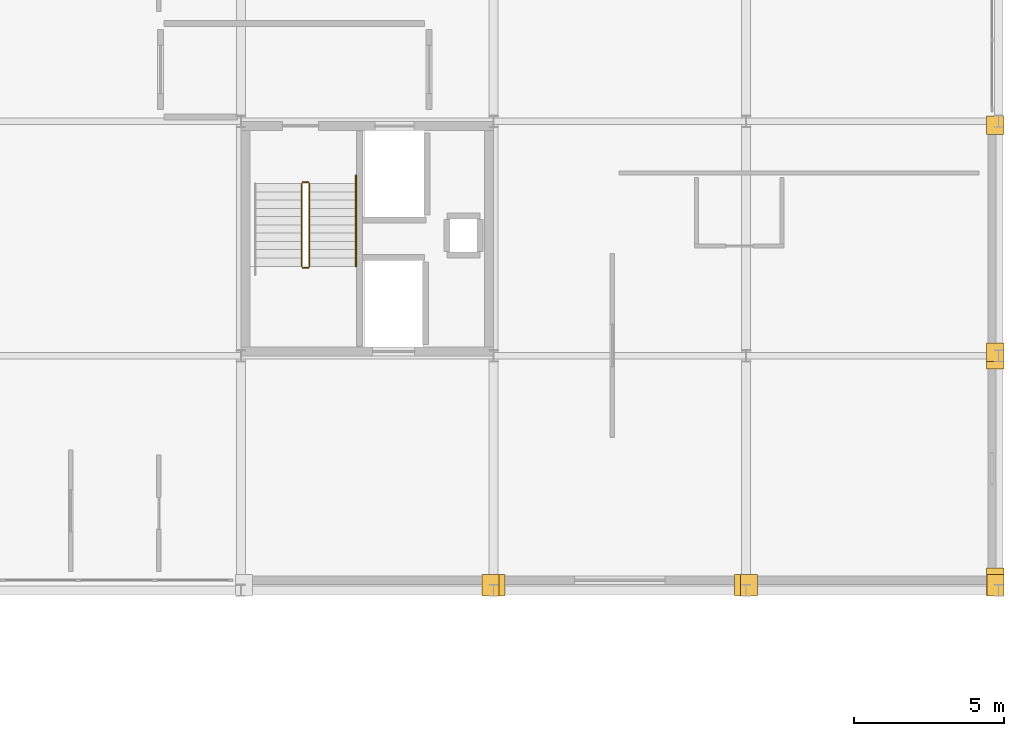
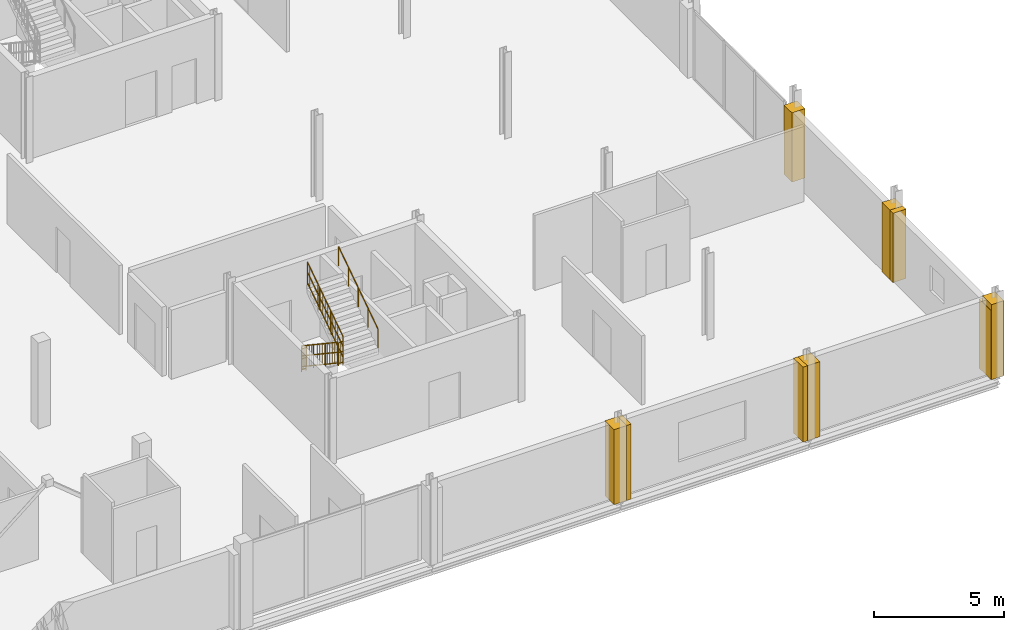
# One storey, part 16 of 20: 9 coverings, 5 railings.
"""IFC4 building model written with IfcOpenShell, lengths in metres."""

from ifc_helpers import new_model, si_unit, direction, frame, origin, origin_2d, place, context, subcontext, project, spatial, polyline, circle, outline, extrude, material, layer, layer_set, type_object, element, save


model = new_model("IFC4")

# Units and contexts
model_context = context("Model", 3, precision=1e-05, world=origin(), true_north=direction((0.0, 1.0)))
body_context = subcontext(model_context, "Body", "Model", "MODEL_VIEW")
ifc_project = project(units=[si_unit("LENGTHUNIT", "METRE"), si_unit("AREAUNIT", "SQUARE_METRE"), si_unit("VOLUMEUNIT", "CUBIC_METRE"), si_unit("PLANEANGLEUNIT", "RADIAN"), si_unit("MASSUNIT", "GRAM", prefix="KILO")], contexts=[model_context])

# Site, building, storey
site_placement = place(None, origin())
site = spatial("IfcSite", under=ifc_project, at=site_placement, CompositionType="ELEMENT")
building_placement = place(site_placement, origin())
building = spatial("IfcBuilding", under=site, at=building_placement, Name="Nabrawat Pavilion Hospital", CompositionType="ELEMENT")
storey_placement = place(building_placement, frame((0.0, 0.0, 27.0)))
storey = spatial("IfcBuildingStorey", under=building, at=storey_placement, Name="L06", CompositionType="ELEMENT", Elevation=27.0)

# Coverings
ifc_material_1 = material(Name="Precast concrete C40/50", Category="concrete")
ifc_layer_1 = layer(ifc_material_1, 0.360107421875, Name="Precast concrete C40/50")
ifc_layer_set_1 = layer_set([ifc_layer_1], Name="Precast concrete C40/50")
covering_type = type_object("IfcCoveringType", Name="Architectural Precast Column-Jamb Closure Reveal", PredefinedType="CLADDING", material=ifc_layer_set_1)
covering_1_placement = place(storey_placement, origin())
element("IfcCovering", 1, at=covering_1_placement, inside=storey, type_object=covering_type, Name="L06 Precast Facade Column-Jamb Weatherseal Closure 0617", PredefinedType="CLADDING", context=body_context, shape_type="SweptSolid", body=[
    extrude(outline(polyline([(176.580078125, 38.820068359375), (176.580078125, 39.52001953125), (176.02001953125, 39.52001953125), (176.02001953125, 38.820068359375), (176.580078125, 38.820068359375)])), origin(), (0.0, 0.0, 1.0), 3.530029296875),
])
covering_2_placement = place(storey_placement, origin())
element("IfcCovering", 2, at=covering_2_placement, inside=storey, type_object=covering_type, Name="L06 Precast Facade Column-Jamb Weatherseal Closure 0618", PredefinedType="CLADDING", context=body_context, shape_type="SweptSolid", body=[
    extrude(outline(polyline([(176.780029296875, 38.820068359375), (176.780029296875, 39.52001953125), (176.219970703125, 39.52001953125), (176.219970703125, 38.820068359375), (176.780029296875, 38.820068359375)])), origin(), (0.0, 0.0, 1.0), 3.530029296875),
])
covering_3_placement = place(storey_placement, origin())
element("IfcCovering", 3, at=covering_3_placement, inside=storey, type_object=covering_type, Name="L06 Precast Facade Column-Jamb Weatherseal Closure 0619", PredefinedType="CLADDING", context=body_context, shape_type="SweptSolid", body=[
    extrude(outline(polyline([(184.97998046875, 38.820068359375), (184.97998046875, 39.52001953125), (184.419921875, 39.52001953125), (184.419921875, 38.820068359375), (184.97998046875, 38.820068359375)])), origin(), (0.0, 0.0, 1.0), 3.530029296875),
])
covering_4_placement = place(storey_placement, origin())
element("IfcCovering", 4, at=covering_4_placement, inside=storey, type_object=covering_type, Name="L06 Precast Facade Column-Jamb Weatherseal Closure 0620", PredefinedType="CLADDING", context=body_context, shape_type="SweptSolid", body=[
    extrude(outline(polyline([(185.179931640625, 38.820068359375), (185.179931640625, 39.52001953125), (184.6201171875, 39.52001953125), (184.6201171875, 38.820068359375), (185.179931640625, 38.820068359375)])), origin(), (0.0, 0.0, 1.0), 3.530029296875),
])
covering_5_placement = place(storey_placement, origin())
element("IfcCovering", 5, at=covering_5_placement, inside=storey, type_object=covering_type, Name="L06 Precast Facade Column-Jamb Weatherseal Closure 0621", PredefinedType="CLADDING", context=body_context, shape_type="SweptSolid", body=[
    extrude(outline(polyline([(193.3798828125, 38.820068359375), (193.3798828125, 39.52001953125), (192.820068359375, 39.52001953125), (192.820068359375, 38.820068359375), (193.3798828125, 38.820068359375)])), origin(), (0.0, 0.0, 1.0), 3.530029296875),
])
covering_6_placement = place(storey_placement, origin())
element("IfcCovering", 6, at=covering_6_placement, inside=storey, type_object=covering_type, Name="L06 Precast Facade Column-Jamb Weatherseal Closure 0622", PredefinedType="CLADDING", context=body_context, shape_type="SweptSolid", body=[
    extrude(outline(polyline([(193.3798828125, 38.820068359375), (193.3798828125, 39.739990234375), (192.800048828125, 39.739990234375), (192.800048828125, 38.820068359375), (193.3798828125, 38.820068359375)])), origin(), (0.0, 0.0, 1.0), 3.260009765625),
])
covering_7_placement = place(storey_placement, origin())
element("IfcCovering", 7, at=covering_7_placement, inside=storey, type_object=covering_type, Name="L06 Precast Facade Column-Jamb Weatherseal Closure 0623", PredefinedType="CLADDING", context=body_context, shape_type="SweptSolid", body=[
    extrude(outline(polyline([(193.3798828125, 46.3701171875), (193.3798828125, 46.97998046875), (192.800048828125, 46.97998046875), (192.800048828125, 46.3701171875), (193.3798828125, 46.3701171875)])), origin(), (0.0, 0.0, 1.0), 3.260009765625),
])
covering_8_placement = place(storey_placement, origin())
element("IfcCovering", 8, at=covering_8_placement, inside=storey, type_object=covering_type, Name="L06 Precast Facade Column-Jamb Weatherseal Closure 0624", PredefinedType="CLADDING", context=body_context, shape_type="SweptSolid", body=[
    extrude(outline(polyline([(193.3798828125, 46.6201171875), (193.3798828125, 47.22998046875), (192.800048828125, 47.22998046875), (192.800048828125, 46.6201171875), (193.3798828125, 46.6201171875)])), origin(), (0.0, 0.0, 1.0), 3.260009765625),
])
covering_9_placement = place(storey_placement, origin())
element("IfcCovering", 9, at=covering_9_placement, inside=storey, type_object=covering_type, Name="L06 Precast Facade Column-Jamb Weatherseal Closure 0625", PredefinedType="CLADDING", context=body_context, shape_type="SweptSolid", body=[
    extrude(outline(polyline([(193.3798828125, 54.169921875), (193.3798828125, 54.780029296875), (192.800048828125, 54.780029296875), (192.800048828125, 54.169921875), (193.3798828125, 54.169921875)])), origin(), (0.0, 0.0, 1.0), 3.260009765625),
])

# Railings
ifc_material_2 = material(Name="Stainless Steel 316", Category="steel")
ifc_layer_2 = layer(ifc_material_2, 0.050048828125, Name="Stainless Steel 316")
ifc_layer_set_2 = layer_set([ifc_layer_2], Name="Stainless Steel 316")
railing_type_1 = type_object("IfcRailingType", Name="Stair Open-Well Safety Guardrail 1100", PredefinedType="GUARDRAIL", material=ifc_layer_set_2)
railing_1_placement = place(storey_placement, frame((170.02490234375, 52.530029296875, 0.18408203125)))
element("IfcRailing", 10, at=railing_1_placement, inside=storey, type_object=railing_type_1, Name="L06 ST-05 stair guard 1", PredefinedType="GUARDRAIL", context=body_context, shape_type="SweptSolid", body=[
    extrude(circle(Radius=0.02392578125, at=origin_2d()), frame((0.0, 0.0, 1.076171875), z_axis=(0.0, -0.831004616288, 0.556265519071), x_axis=(1.0, 0.0, 0.0)), (0.0, 0.0, 1.0), 3.309326171875),
    extrude(circle(Radius=0.02392578125, at=origin_2d()), frame((0.0, 0.0, 0.10009765625), z_axis=(0.0, -0.831004616288, 0.556265519071), x_axis=(1.0, 0.0, 0.0)), (0.0, 0.0, 1.0), 3.309326171875),
    extrude(circle(Radius=0.02392578125, at=origin_2d()), frame((0.0, 0.0, 0.60498046875), z_axis=(0.0, -0.831004616288, 0.556265519071), x_axis=(1.0, 0.0, 0.0)), (0.0, 0.0, 1.0), 3.309326171875),
    extrude(circle(Radius=0.008056640625, at=origin_2d()), frame((0.0, -0.196533203125, 0.2314453125)), (0.0, 0.0, 1.0), 0.951904296875),
    extrude(circle(Radius=0.008056640625, at=origin_2d()), frame((0.0, -0.392822265625, 0.363037109375)), (0.0, 0.0, 1.0), 0.951904296875),
    extrude(circle(Radius=0.008056640625, at=origin_2d()), frame((0.0, -0.58935546875, 0.494384765625)), (0.0, 0.0, 1.0), 0.951904296875),
    extrude(circle(Radius=0.008056640625, at=origin_2d()), frame((0.0, -0.78564453125, 0.6259765625)), (0.0, 0.0, 1.0), 0.951904296875),
    extrude(circle(Radius=0.008056640625, at=origin_2d()), frame((0.0, -0.982177734375, 0.75732421875)), (0.0, 0.0, 1.0), 0.951904296875),
    extrude(circle(Radius=0.008056640625, at=origin_2d()), frame((0.0, -1.178466796875, 0.888916015625)), (0.0, 0.0, 1.0), 0.951904296875),
    extrude(circle(Radius=0.008056640625, at=origin_2d()), frame((0.0, -1.375, 1.0205078125)), (0.0, 0.0, 1.0), 0.951904296875),
    extrude(circle(Radius=0.008056640625, at=origin_2d()), frame((0.0, -1.571533203125, 1.15185546875)), (0.0, 0.0, 1.0), 0.951904296875),
    extrude(circle(Radius=0.008056640625, at=origin_2d()), frame((0.0, -1.767822265625, 1.283447265625)), (0.0, 0.0, 1.0), 0.951904296875),
    extrude(circle(Radius=0.008056640625, at=origin_2d()), frame((0.0, -1.96435546875, 1.414794921875)), (0.0, 0.0, 1.0), 0.951904296875),
    extrude(circle(Radius=0.008056640625, at=origin_2d()), frame((0.0, -2.16064453125, 1.54638671875)), (0.0, 0.0, 1.0), 0.951904296875),
    extrude(circle(Radius=0.008056640625, at=origin_2d()), frame((0.0, -2.357177734375, 1.677734375)), (0.0, 0.0, 1.0), 0.951904296875),
    extrude(circle(Radius=0.008056640625, at=origin_2d()), frame((0.0, -2.553466796875, 1.809326171875)), (0.0, 0.0, 1.0), 0.951904296875),
    extrude(circle(Radius=0.02099609375, at=origin_2d()), origin(), (0.0, 0.0, 1.0), 1.052001953125),
    extrude(circle(Radius=0.02099609375, at=origin_2d()), frame((0.0, -0.916748046875, 0.613525390625)), (0.0, 0.0, 1.0), 1.052001953125),
    extrude(circle(Radius=0.02099609375, at=origin_2d()), frame((0.0, -1.833251953125, 1.227294921875)), (0.0, 0.0, 1.0), 1.052001953125),
    extrude(circle(Radius=0.02099609375, at=origin_2d()), frame((0.0, -2.75, 1.8408203125)), (0.0, 0.0, 1.0), 1.052001953125),
])
railing_2_placement = place(storey_placement, frame((170.050048828125, 49.72998046875, 2.02490234375)))
element("IfcRailing", 11, at=railing_2_placement, inside=storey, type_object=railing_type_1, Name="L06 ST-05 stair guard 2", PredefinedType="GUARDRAIL", context=body_context, shape_type="SweptSolid", body=[
    extrude(circle(Radius=0.02392578125, at=origin_2d()), frame((0.0, 0.0, 1.076171875), z_axis=(1.0, 0.0, 0.0), x_axis=(0.0, 1.0, 0.0)), (0.0, 0.0, 1.0), 0.199951171875),
    extrude(circle(Radius=0.02392578125, at=origin_2d()), frame((0.0, 0.0, 0.10009765625), z_axis=(1.0, 0.0, 0.0), x_axis=(0.0, 1.0, 0.0)), (0.0, 0.0, 1.0), 0.199951171875),
    extrude(circle(Radius=0.02392578125, at=origin_2d()), frame((0.0, 0.0, 0.60498046875), z_axis=(1.0, 0.0, 0.0), x_axis=(0.0, 1.0, 0.0)), (0.0, 0.0, 1.0), 0.199951171875),
    extrude(circle(Radius=0.008056640625, at=origin_2d()), frame((0.10009765625, 0.0, 0.10009765625)), (0.0, 0.0, 1.0), 0.951904296875),
    extrude(circle(Radius=0.02099609375, at=origin_2d()), origin(), (0.0, 0.0, 1.0), 1.052001953125),
    extrude(circle(Radius=0.02099609375, at=origin_2d()), frame((0.199951171875, 0.0, 0.0)), (0.0, 0.0, 1.0), 1.052001953125),
])
railing_3_placement = place(storey_placement, frame((170.27490234375, 49.780029296875, 2.208984375)))
element("IfcRailing", 12, at=railing_3_placement, inside=storey, type_object=railing_type_1, Name="L06 ST-05 stair guard 3", PredefinedType="GUARDRAIL", context=body_context, shape_type="SweptSolid", body=[
    extrude(circle(Radius=0.02392578125, at=origin_2d()), frame((0.0, 0.0, 1.076171875), z_axis=(0.0, 0.830970512829, 0.556316462824), x_axis=(-1.0, 0.0, 0.0)), (0.0, 0.0, 1.0), 3.309326171875),
    extrude(circle(Radius=0.02392578125, at=origin_2d()), frame((0.0, 0.0, 0.10009765625), z_axis=(0.0, 0.830970512829, 0.556316462824), x_axis=(-1.0, 0.0, 0.0)), (0.0, 0.0, 1.0), 3.309326171875),
    extrude(circle(Radius=0.02392578125, at=origin_2d()), frame((0.0, 0.0, 0.60498046875), z_axis=(0.0, 0.830970512829, 0.556316462824), x_axis=(-1.0, 0.0, 0.0)), (0.0, 0.0, 1.0), 3.309326171875),
    extrude(circle(Radius=0.008056640625, at=origin_2d()), frame((0.0, 0.196533203125, 0.2314453125)), (0.0, 0.0, 1.0), 0.951904296875),
    extrude(circle(Radius=0.008056640625, at=origin_2d()), frame((0.0, 0.392822265625, 0.363037109375)), (0.0, 0.0, 1.0), 0.951904296875),
    extrude(circle(Radius=0.008056640625, at=origin_2d()), frame((0.0, 0.58935546875, 0.49462890625)), (0.0, 0.0, 1.0), 0.951904296875),
    extrude(circle(Radius=0.008056640625, at=origin_2d()), frame((0.0, 0.78564453125, 0.6259765625)), (0.0, 0.0, 1.0), 0.951904296875),
    extrude(circle(Radius=0.008056640625, at=origin_2d()), frame((0.0, 0.982177734375, 0.757568359375)), (0.0, 0.0, 1.0), 0.951904296875),
    extrude(circle(Radius=0.008056640625, at=origin_2d()), frame((0.0, 1.178466796875, 0.888916015625)), (0.0, 0.0, 1.0), 0.951904296875),
    extrude(circle(Radius=0.008056640625, at=origin_2d()), frame((0.0, 1.375, 1.0205078125)), (0.0, 0.0, 1.0), 0.951904296875),
    extrude(circle(Radius=0.008056640625, at=origin_2d()), frame((0.0, 1.571533203125, 1.152099609375)), (0.0, 0.0, 1.0), 0.951904296875),
    extrude(circle(Radius=0.008056640625, at=origin_2d()), frame((0.0, 1.767822265625, 1.283447265625)), (0.0, 0.0, 1.0), 0.951904296875),
    extrude(circle(Radius=0.008056640625, at=origin_2d()), frame((0.0, 1.96435546875, 1.4150390625)), (0.0, 0.0, 1.0), 0.951904296875),
    extrude(circle(Radius=0.008056640625, at=origin_2d()), frame((0.0, 2.16064453125, 1.546630859375)), (0.0, 0.0, 1.0), 0.951904296875),
    extrude(circle(Radius=0.008056640625, at=origin_2d()), frame((0.0, 2.357177734375, 1.677978515625)), (0.0, 0.0, 1.0), 0.951904296875),
    extrude(circle(Radius=0.008056640625, at=origin_2d()), frame((0.0, 2.553466796875, 1.8095703125)), (0.0, 0.0, 1.0), 0.951904296875),
    extrude(circle(Radius=0.02099609375, at=origin_2d()), origin(), (0.0, 0.0, 1.0), 1.052001953125),
    extrude(circle(Radius=0.02099609375, at=origin_2d()), frame((0.0, 0.916748046875, 0.61376953125)), (0.0, 0.0, 1.0), 1.052001953125),
    extrude(circle(Radius=0.02099609375, at=origin_2d()), frame((0.0, 1.833251953125, 1.227294921875)), (0.0, 0.0, 1.0), 1.052001953125),
    extrude(circle(Radius=0.02099609375, at=origin_2d()), frame((0.0, 2.75, 1.841064453125)), (0.0, 0.0, 1.0), 1.052001953125),
])
railing_4_placement = place(storey_placement, frame((170.050048828125, 52.580078125, 0.0)))
element("IfcRailing", 13, at=railing_4_placement, inside=storey, type_object=railing_type_1, Name="L06 ST-05 stair guard 4", PredefinedType="GUARDRAIL", context=body_context, shape_type="SweptSolid", body=[
    extrude(circle(Radius=0.02392578125, at=origin_2d()), frame((0.0, 0.0, 1.076171875), z_axis=(1.0, 0.0, 0.0), x_axis=(0.0, 1.0, 0.0)), (0.0, 0.0, 1.0), 0.199951171875),
    extrude(circle(Radius=0.02392578125, at=origin_2d()), frame((0.0, 0.0, 0.10009765625), z_axis=(1.0, 0.0, 0.0), x_axis=(0.0, 1.0, 0.0)), (0.0, 0.0, 1.0), 0.199951171875),
    extrude(circle(Radius=0.02392578125, at=origin_2d()), frame((0.0, 0.0, 0.60498046875), z_axis=(1.0, 0.0, 0.0), x_axis=(0.0, 1.0, 0.0)), (0.0, 0.0, 1.0), 0.199951171875),
    extrude(circle(Radius=0.008056640625, at=origin_2d()), frame((0.10009765625, 0.0, 0.10009765625)), (0.0, 0.0, 1.0), 0.951904296875),
    extrude(circle(Radius=0.02099609375, at=origin_2d()), origin(), (0.0, 0.0, 1.0), 1.052001953125),
    extrude(circle(Radius=0.02099609375, at=origin_2d()), frame((0.199951171875, 0.0, 0.0)), (0.0, 0.0, 1.0), 1.052001953125),
])
ifc_layer_3 = layer(ifc_material_2, 0.044921875, Name="Stainless Steel 316")
ifc_layer_set_3 = layer_set([ifc_layer_3], Name="Stainless Steel 316")
railing_type_2 = type_object("IfcRailingType", Name="Stair Pitch Continuous Handrail 920", PredefinedType="HANDRAIL", material=ifc_layer_set_3)
railing_5_placement = place(storey_placement, frame((171.824951171875, 49.780029296875, 2.213134765625)))
element("IfcRailing", 14, at=railing_5_placement, inside=storey, type_object=railing_type_2, Name="L06 ST-05 stair handrail 2", PredefinedType="HANDRAIL", context=body_context, shape_type="SweptSolid", body=[
    extrude(circle(Radius=0.02392578125, at=origin_2d()), frame((0.0, 0.0, 0.89599609375), z_axis=(0.0, 0.830996314782, 0.556277920484), x_axis=(-1.0, 0.0, 0.0)), (0.0, 0.0, 1.0), 3.64013671875),
    extrude(circle(Radius=0.02099609375, at=origin_2d()), origin(), (0.0, 0.0, 1.0), 0.871826171875),
    extrude(circle(Radius=0.02099609375, at=origin_2d()), frame((0.0, 0.75634765625, 0.50634765625)), (0.0, 0.0, 1.0), 0.871826171875),
    extrude(circle(Radius=0.02099609375, at=origin_2d()), frame((0.0, 1.512451171875, 1.012451171875)), (0.0, 0.0, 1.0), 0.871826171875),
    extrude(circle(Radius=0.02099609375, at=origin_2d()), frame((0.0, 2.2685546875, 1.5185546875)), (0.0, 0.0, 1.0), 0.871826171875),
    extrude(circle(Radius=0.02099609375, at=origin_2d()), frame((0.0, 3.02490234375, 2.02490234375)), (0.0, 0.0, 1.0), 0.871826171875),
])

save(model, "model.ifc")
